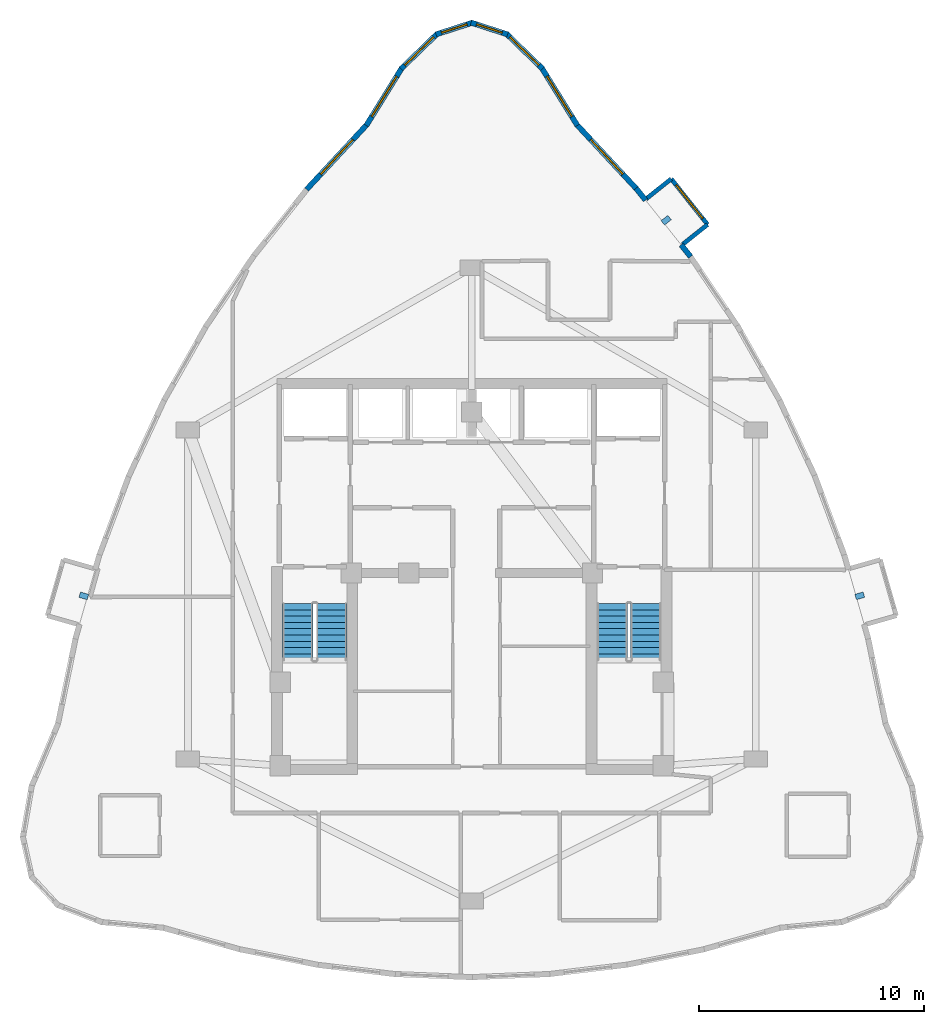
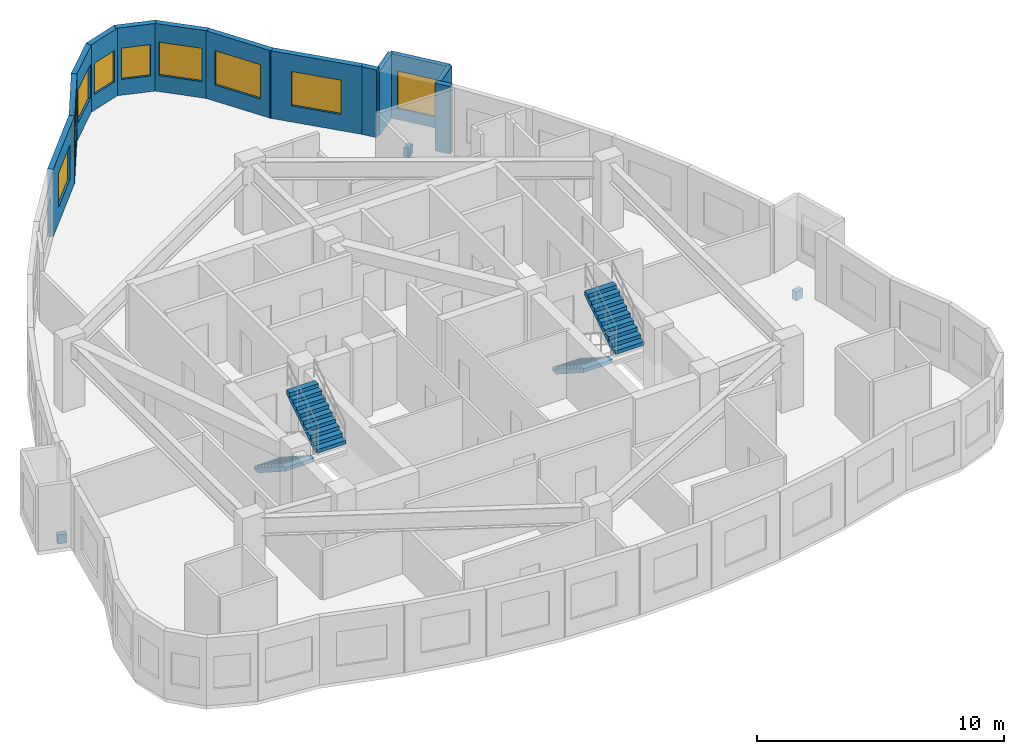
# One storey, part 7 of 8: 13 walls, 9 windows, 4 stair flights, 3 discrete accessories, 9 openings, 2 elements without a shape of their own.
"""IFC4 building model written with IfcOpenShell, lengths in metres."""

from ifc_helpers import new_model, si_unit, direction, frame, frame_2d, origin, origin_2d, place, context, subcontext, project, spatial, polyline, rectangle, outline, extrude, material, layer, layer_set, type_object, element, fill, aggregate, save


model = new_model("IFC4")

# Units and contexts
model_context = context("Model", 3, precision=1e-05, world=origin(), true_north=direction((0.0, 1.0)))
body_context = subcontext(model_context, "Body", "Model", "MODEL_VIEW")
ifc_project = project(units=[si_unit("LENGTHUNIT", "METRE"), si_unit("AREAUNIT", "SQUARE_METRE"), si_unit("VOLUMEUNIT", "CUBIC_METRE"), si_unit("PLANEANGLEUNIT", "RADIAN"), si_unit("MASSUNIT", "GRAM", prefix="KILO")], contexts=[model_context])

# Site, building, storey
site_placement = place(None, origin())
site = spatial("IfcSite", under=ifc_project, at=site_placement, CompositionType="ELEMENT")
building_placement = place(site_placement, origin())
building = spatial("IfcBuilding", under=site, at=building_placement, Name="Miruveldt Soraemaru", CompositionType="ELEMENT")
storey_placement = place(building_placement, frame((0.0, 0.0, 237.60009765625)))
storey = spatial("IfcBuildingStorey", under=building, at=storey_placement, Name="L65", CompositionType="ELEMENT", Elevation=237.60009765625)

# Walls
ifc_material_1 = material(Name="White powder-coated aluminium EN AW-6060 T6", Category="aluminium")
ifc_layer_1 = layer(ifc_material_1, 0.18994140625, Name="White powder-coated aluminium EN AW-6060 T6", Category="aluminium")
ifc_layer_set_1 = layer_set([ifc_layer_1], Name="White powder-coated aluminium EN AW-6060 T6")
wall_type_1 = type_object("IfcWallType", Name="WALL-BAY-ALU190", PredefinedType="SOLIDWALL", material=ifc_layer_set_1)
for number, where, z_axis, x_axis, name in (
    (1, (53.35009765625, 58.62646484375, 0.0), (0.0, 0.0, 1.0), (0.781737193764, 0.623608017817, 0.0), "L65 Bay Window Side Cheek 3L"),
    (2, (52.84765625, 61.541259765625, 0.0), (0.0, 0.0, 1.0), (-0.781737193764, -0.623608017817, 0.0), "L65 Bay Window Side Cheek 3R"),
):
    element("IfcWall", number, at=place(storey_placement, frame(where, z_axis=z_axis, x_axis=x_axis)), inside=storey, type_object=wall_type_1, Name=name, PredefinedType="SOLIDWALL", context=body_context, shape_type="SweptSolid", body=[
        extrude(rectangle(XDim=1.425048828125, YDim=0.18994140625, at=frame_2d((0.71240234375, 0.0))), origin(), (0.0, 0.0, 1.0), 3.19482421875),
    ])

# Wall, opening, window
wall_1_placement = place(storey_placement, frame((54.464111328125, 59.51513671875, 0.0), z_axis=(0.0, 0.0, 1.0), x_axis=(-0.623649179754, 0.781704356257, 0.0)))
wall_1 = element("IfcWall", 3, at=wall_1_placement, inside=storey, type_object=wall_type_1, Name="L65 Bay Window Front Frame 3", PredefinedType="SOLIDWALL", context=body_context, shape_type="SweptSolid", body=[
    extrude(rectangle(XDim=2.592041015625, YDim=0.18994140625, at=frame_2d((1.2958984375, 0.0))), origin(), (0.0, 0.0, 1.0), 3.19482421875),
])
opening_1_placement = place(wall_1_placement, frame((0.345947265625, 0.0, 0.550048828125)))
opening_1 = element("IfcOpeningElement", 4, at=opening_1_placement, cuts=wall_1, Name="Opening WN-6", PredefinedType="OPENING", context=body_context, shape_type="SweptSolid", body=[
    extrude(rectangle(XDim=1.89990234375, YDim=1.85009765625, at=frame_2d((0.949951171875, 0.925048828125))), frame((0.0, 0.10498046875, 0.0), z_axis=(0.0, -1.0, 0.0), x_axis=(1.0, 0.0, 0.0)), (0.0, 0.0, 1.0), 0.2099609375),
])
ifc_material_2 = material(Name="Triple low-e insulated glazing", Category="glass")
window_type_1 = type_object("IfcWindowType", Name="WIN-BAYW-1900x1850", PartitioningType="SINGLE_PANEL", PredefinedType="WINDOW", material=ifc_material_2)
window_1_placement = place(opening_1_placement, origin())
window_1 = element("IfcWindow", 5, at=window_1_placement, inside=storey, type_object=window_type_1, Name="L65 Projecting Bay Window 3", OverallHeight=1.85009765625, OverallWidth=1.89990234375, PartitioningType="SINGLE_PANEL", PredefinedType="WINDOW", context=body_context, shape_type="SweptSolid", body=[
    extrude(rectangle(XDim=1.89990234375, YDim=1.85009765625, at=frame_2d((0.949951171875, 0.925048828125))), frame((0.0, 0.030029296875, 0.0), z_axis=(0.0, -1.0, 0.0), x_axis=(1.0, 0.0, 0.0)), (0.0, 0.0, 1.0), 0.06005859375),
])
fill(opening_1, window_1)

ifc_material_3 = material(Name="Precast concrete C45/55 (45 MPa)", Category="concrete")
ifc_layer_2 = layer(ifc_material_3, 0.239990234375, Name="Precast concrete C45/55 (45 MPa)", Category="concrete")
ifc_layer_set_2 = layer_set([ifc_layer_2], Name="Precast concrete C45/55 (45 MPa)")
wall_type_2 = type_object("IfcWallType", Name="WALL-EXT-PC240", PredefinedType="SOLIDWALL", material=ifc_layer_set_2)
wall_2_placement = place(storey_placement, frame((48.685546875, 63.908447265625, 0.0), z_axis=(0.0, 0.0, 1.0), x_axis=(-0.526071389537, 0.850440411264, 0.0)))
wall_2 = element("IfcWall", 6, at=wall_2_placement, inside=storey, type_object=wall_type_2, Name="L65 Precast Concrete Facade Wall 1", PredefinedType="SOLIDWALL", context=body_context, shape_type="SweptSolid", body=[
    extrude(rectangle(XDim=3.027099609375, YDim=0.239990234375, at=frame_2d((1.513671875, 0.0))), origin(), (0.0, 0.0, 1.0), 3.344970703125),
])
opening_2_placement = place(wall_2_placement, frame((0.464111328125, 0.0, 0.800048828125)))
opening_2 = element("IfcOpeningElement", 7, at=opening_2_placement, cuts=wall_2, Name="Opening WN-1", PredefinedType="OPENING", context=body_context, shape_type="SweptSolid", body=[
    extrude(rectangle(XDim=2.10009765625, YDim=1.699951171875, at=frame_2d((1.050048828125, 0.85009765625))), frame((0.0, 0.1298828125, 0.0), z_axis=(0.0, -1.0, 0.0), x_axis=(1.0, 0.0, 0.0)), (0.0, 0.0, 1.0), 0.260009765625),
])
window_type_2 = type_object("IfcWindowType", Name="WIN-PUNCH-2100x1700", PartitioningType="SINGLE_PANEL", PredefinedType="WINDOW", material=ifc_material_2)
window_2_placement = place(opening_2_placement, origin())
window_2 = element("IfcWindow", 8, at=window_2_placement, inside=storey, type_object=window_type_2, Name="L65 Punched Triple-Glazed Window 01.1", OverallHeight=1.699951171875, OverallWidth=2.10009765625, PartitioningType="SINGLE_PANEL", PredefinedType="WINDOW", context=body_context, shape_type="SweptSolid", body=[
    extrude(rectangle(XDim=2.10009765625, YDim=1.699951171875, at=frame_2d((1.050048828125, 0.85009765625))), frame((0.0, 0.030029296875, 0.0), z_axis=(0.0, -1.0, 0.0), x_axis=(1.0, 0.0, 0.0)), (0.0, 0.0, 1.0), 0.06005859375),
])
fill(opening_2, window_2)

wall_3_placement = place(storey_placement, frame((47.136474609375, 66.4287109375, 0.0), z_axis=(0.0, 0.0, 1.0), x_axis=(-0.717773138272, 0.696277043982, 0.0)))
wall_3 = element("IfcWall", 9, at=wall_3_placement, inside=storey, type_object=wall_type_2, Name="L65 Precast Concrete Facade Wall 2", PredefinedType="SOLIDWALL", context=body_context, shape_type="SweptSolid", body=[
    extrude(rectangle(XDim=2.2373046875, YDim=0.239990234375, at=frame_2d((1.11865234375, 0.0))), origin(), (0.0, 0.0, 1.0), 3.344970703125),
])
opening_3_placement = place(wall_3_placement, frame((0.218994140625, 0.0, 0.800048828125)))
opening_3 = element("IfcOpeningElement", 10, at=opening_3_placement, cuts=wall_3, Name="Opening WN-2", PredefinedType="OPENING", context=body_context, shape_type="SweptSolid", body=[
    extrude(rectangle(XDim=1.800048828125, YDim=1.64990234375, at=frame_2d((0.89990234375, 0.824951171875))), frame((0.0, 0.1298828125, 0.0), z_axis=(0.0, -1.0, 0.0), x_axis=(1.0, 0.0, 0.0)), (0.0, 0.0, 1.0), 0.260009765625),
])
window_type_3 = type_object("IfcWindowType", Name="WIN-PUNCH-1800x1650", PartitioningType="SINGLE_PANEL", PredefinedType="WINDOW", material=ifc_material_2)
window_3_placement = place(opening_3_placement, origin())
window_3 = element("IfcWindow", 11, at=window_3_placement, inside=storey, type_object=window_type_3, Name="L65 Punched Triple-Glazed Window 02.1", OverallHeight=1.64990234375, OverallWidth=1.800048828125, PartitioningType="SINGLE_PANEL", PredefinedType="WINDOW", context=body_context, shape_type="SweptSolid", body=[
    extrude(rectangle(XDim=1.800048828125, YDim=1.64990234375, at=frame_2d((0.89990234375, 0.824951171875))), frame((0.0, 0.030029296875, 0.0), z_axis=(0.0, -1.0, 0.0), x_axis=(1.0, 0.0, 0.0)), (0.0, 0.0, 1.0), 0.06005859375),
])
fill(opening_3, window_3)

wall_4_placement = place(storey_placement, frame((45.589111328125, 67.951416015625, 0.0), z_axis=(0.0, 0.0, 1.0), x_axis=(-0.951522196334, 0.307580086942, 0.0)))
wall_4 = element("IfcWall", 12, at=wall_4_placement, inside=storey, type_object=wall_type_2, Name="L65 Precast Concrete Facade Wall 3", PredefinedType="SOLIDWALL", context=body_context, shape_type="SweptSolid", body=[
    extrude(rectangle(XDim=1.705078125, YDim=0.239990234375, at=frame_2d((0.8525390625, 0.0))), origin(), (0.0, 0.0, 1.0), 3.344970703125),
])
opening_4_placement = place(wall_4_placement, frame((0.251953125, 0.0, 0.780029296875)))
opening_4 = element("IfcOpeningElement", 13, at=opening_4_placement, cuts=wall_4, Name="Opening WN-4", PredefinedType="OPENING", context=body_context, shape_type="SweptSolid", body=[
    extrude(rectangle(XDim=1.199951171875, YDim=1.550048828125, at=frame_2d((0.60009765625, 0.77490234375))), frame((0.0, 0.1298828125, 0.0), z_axis=(0.0, -1.0, 0.0), x_axis=(1.0, 0.0, 0.0)), (0.0, 0.0, 1.0), 0.260009765625),
])
window_type_4 = type_object("IfcWindowType", Name="WIN-PUNCH-1200x1550", PartitioningType="SINGLE_PANEL", PredefinedType="WINDOW", material=ifc_material_2)
window_4_placement = place(opening_4_placement, origin())
window_4 = element("IfcWindow", 14, at=window_4_placement, inside=storey, type_object=window_type_4, Name="L65 Punched Triple-Glazed Window 03.1", OverallHeight=1.550048828125, OverallWidth=1.199951171875, PartitioningType="SINGLE_PANEL", PredefinedType="WINDOW", context=body_context, shape_type="SweptSolid", body=[
    extrude(rectangle(XDim=1.199951171875, YDim=1.550048828125, at=frame_2d((0.60009765625, 0.77490234375))), frame((0.0, 0.030029296875, 0.0), z_axis=(0.0, -1.0, 0.0), x_axis=(1.0, 0.0, 0.0)), (0.0, 0.0, 1.0), 0.06005859375),
])
fill(opening_4, window_4)

wall_5_placement = place(storey_placement, frame((44.033203125, 68.475830078125, 0.0), z_axis=(0.0, 0.0, 1.0), x_axis=(-0.951522196334, -0.307580086942, 0.0)))
wall_5 = element("IfcWall", 15, at=wall_5_placement, inside=storey, type_object=wall_type_2, Name="L65 Precast Concrete Facade Wall 4", PredefinedType="SOLIDWALL", context=body_context, shape_type="SweptSolid", body=[
    extrude(rectangle(XDim=1.705078125, YDim=0.239990234375, at=frame_2d((0.8525390625, 0.0))), origin(), (0.0, 0.0, 1.0), 3.344970703125),
])
opening_5_placement = place(wall_5_placement, frame((0.251953125, 0.0, 0.780029296875)))
opening_5 = element("IfcOpeningElement", 16, at=opening_5_placement, cuts=wall_5, Name="Opening WN-4", PredefinedType="OPENING", context=body_context, shape_type="SweptSolid", body=[
    extrude(rectangle(XDim=1.199951171875, YDim=1.550048828125, at=frame_2d((0.60009765625, 0.77490234375))), frame((0.0, 0.1298828125, 0.0), z_axis=(0.0, -1.0, 0.0), x_axis=(1.0, 0.0, 0.0)), (0.0, 0.0, 1.0), 0.260009765625),
])
window_5_placement = place(opening_5_placement, origin())
window_5 = element("IfcWindow", 17, at=window_5_placement, inside=storey, type_object=window_type_4, Name="L65 Punched Triple-Glazed Window 04.1", OverallHeight=1.550048828125, OverallWidth=1.199951171875, PartitioningType="SINGLE_PANEL", PredefinedType="WINDOW", context=body_context, shape_type="SweptSolid", body=[
    extrude(rectangle(XDim=1.199951171875, YDim=1.550048828125, at=frame_2d((0.60009765625, 0.77490234375))), frame((0.0, 0.030029296875, 0.0), z_axis=(0.0, -1.0, 0.0), x_axis=(1.0, 0.0, 0.0)), (0.0, 0.0, 1.0), 0.06005859375),
])
fill(opening_5, window_5)

wall_6_placement = place(storey_placement, frame((42.469482421875, 67.986572265625, 0.0), z_axis=(0.0, 0.0, 1.0), x_axis=(-0.717773138272, -0.696277043982, 0.0)))
wall_6 = element("IfcWall", 18, at=wall_6_placement, inside=storey, type_object=wall_type_2, Name="L65 Precast Concrete Facade Wall 5", PredefinedType="SOLIDWALL", context=body_context, shape_type="SweptSolid", body=[
    extrude(rectangle(XDim=2.2373046875, YDim=0.239990234375, at=frame_2d((1.11865234375, 0.0))), origin(), (0.0, 0.0, 1.0), 3.344970703125),
])
opening_6_placement = place(wall_6_placement, frame((0.218994140625, 0.0, 0.800048828125)))
opening_6 = element("IfcOpeningElement", 19, at=opening_6_placement, cuts=wall_6, Name="Opening WN-2", PredefinedType="OPENING", context=body_context, shape_type="SweptSolid", body=[
    extrude(rectangle(XDim=1.800048828125, YDim=1.64990234375, at=frame_2d((0.89990234375, 0.824951171875))), frame((0.0, 0.1298828125, 0.0), z_axis=(0.0, -1.0, 0.0), x_axis=(1.0, 0.0, 0.0)), (0.0, 0.0, 1.0), 0.260009765625),
])
window_6_placement = place(opening_6_placement, origin())
window_6 = element("IfcWindow", 20, at=window_6_placement, inside=storey, type_object=window_type_3, Name="L65 Punched Triple-Glazed Window 05.1", OverallHeight=1.64990234375, OverallWidth=1.800048828125, PartitioningType="SINGLE_PANEL", PredefinedType="WINDOW", context=body_context, shape_type="SweptSolid", body=[
    extrude(rectangle(XDim=1.800048828125, YDim=1.64990234375, at=frame_2d((0.89990234375, 0.824951171875))), frame((0.0, 0.030029296875, 0.0), z_axis=(0.0, -1.0, 0.0), x_axis=(1.0, 0.0, 0.0)), (0.0, 0.0, 1.0), 0.06005859375),
])
fill(opening_6, window_6)

wall_7_placement = place(storey_placement, frame((40.906982421875, 66.48291015625, 0.0), z_axis=(0.0, 0.0, 1.0), x_axis=(-0.526071389537, -0.850440411264, 0.0)))
wall_7 = element("IfcWall", 21, at=wall_7_placement, inside=storey, type_object=wall_type_2, Name="L65 Precast Concrete Facade Wall 6", PredefinedType="SOLIDWALL", context=body_context, shape_type="SweptSolid", body=[
    extrude(rectangle(XDim=3.027099609375, YDim=0.239990234375, at=frame_2d((1.513671875, 0.0))), origin(), (0.0, 0.0, 1.0), 3.344970703125),
])
opening_7_placement = place(wall_7_placement, frame((0.464111328125, 0.0, 0.800048828125)))
opening_7 = element("IfcOpeningElement", 22, at=opening_7_placement, cuts=wall_7, Name="Opening WN-1", PredefinedType="OPENING", context=body_context, shape_type="SweptSolid", body=[
    extrude(rectangle(XDim=2.10009765625, YDim=1.699951171875, at=frame_2d((1.050048828125, 0.85009765625))), frame((0.0, 0.1298828125, 0.0), z_axis=(0.0, -1.0, 0.0), x_axis=(1.0, 0.0, 0.0)), (0.0, 0.0, 1.0), 0.260009765625),
])
window_7_placement = place(opening_7_placement, origin())
window_7 = element("IfcWindow", 23, at=window_7_placement, inside=storey, type_object=window_type_2, Name="L65 Punched Triple-Glazed Window 06.1", OverallHeight=1.699951171875, OverallWidth=2.10009765625, PartitioningType="SINGLE_PANEL", PredefinedType="WINDOW", context=body_context, shape_type="SweptSolid", body=[
    extrude(rectangle(XDim=2.10009765625, YDim=1.699951171875, at=frame_2d((1.050048828125, 0.85009765625))), frame((0.0, 0.030029296875, 0.0), z_axis=(0.0, -1.0, 0.0), x_axis=(1.0, 0.0, 0.0)), (0.0, 0.0, 1.0), 0.06005859375),
])
fill(opening_7, window_7)

wall_8_placement = place(storey_placement, frame((39.356689453125, 63.9638671875, 0.0), z_axis=(0.0, 0.0, 1.0), x_axis=(-0.680875150233, -0.732399501498, 0.0)))
wall_8 = element("IfcWall", 24, at=wall_8_placement, inside=storey, type_object=wall_type_2, Name="L65 Precast Concrete Facade Wall 7", PredefinedType="SOLIDWALL", context=body_context, shape_type="SweptSolid", body=[
    extrude(rectangle(XDim=3.951904296875, YDim=0.239990234375, at=frame_2d((1.97607421875, 0.0))), origin(), (0.0, 0.0, 1.0), 3.344970703125),
])
opening_8_placement = place(wall_8_placement, frame((0.926025390625, 0.0, 0.800048828125)))
opening_8 = element("IfcOpeningElement", 25, at=opening_8_placement, cuts=wall_8, Name="Opening WN-1", PredefinedType="OPENING", context=body_context, shape_type="SweptSolid", body=[
    extrude(rectangle(XDim=2.10009765625, YDim=1.699951171875, at=frame_2d((1.050048828125, 0.85009765625))), frame((0.0, 0.1298828125, 0.0), z_axis=(0.0, -1.0, 0.0), x_axis=(1.0, 0.0, 0.0)), (0.0, 0.0, 1.0), 0.260009765625),
])
window_8_placement = place(opening_8_placement, origin())
window_8 = element("IfcWindow", 26, at=window_8_placement, inside=storey, type_object=window_type_2, Name="L65 Punched Triple-Glazed Window 07.1", OverallHeight=1.699951171875, OverallWidth=2.10009765625, PartitioningType="SINGLE_PANEL", PredefinedType="WINDOW", context=body_context, shape_type="SweptSolid", body=[
    extrude(rectangle(XDim=2.10009765625, YDim=1.699951171875, at=frame_2d((1.050048828125, 0.85009765625))), frame((0.0, 0.030029296875, 0.0), z_axis=(0.0, -1.0, 0.0), x_axis=(1.0, 0.0, 0.0)), (0.0, 0.0, 1.0), 0.06005859375),
])
fill(opening_8, window_8)

# Walls
wall_9_placement = place(storey_placement, frame((53.709228515625, 58.087890625, 0.0), z_axis=(0.0, 0.0, 1.0), x_axis=(-0.623635728977, 0.781715087192, 0.0)))
element("IfcWall", 27, at=wall_9_placement, inside=storey, type_object=wall_type_2, Name="L65 Precast Pier Wall 41A", PredefinedType="SOLIDWALL", context=body_context, shape_type="SweptSolid", body=[
    extrude(rectangle(XDim=0.6748046875, YDim=0.239990234375, at=frame_2d((0.33740234375, 0.0))), origin(), (0.0, 0.0, 1.0), 3.344970703125),
])
wall_10_placement = place(storey_placement, frame((51.709228515625, 60.5947265625, 0.0), z_axis=(0.0, 0.0, 1.0), x_axis=(-0.62345941389, 0.781855715098, 0.0)))
element("IfcWall", 28, at=wall_10_placement, inside=storey, type_object=wall_type_2, Name="L65 Precast Pier Wall 41B", PredefinedType="SOLIDWALL", context=body_context, shape_type="SweptSolid", body=[
    extrude(rectangle(XDim=0.675048828125, YDim=0.239990234375, at=frame_2d((0.33740234375, 0.0))), origin(), (0.0, 0.0, 1.0), 3.344970703125),
])

# Wall, opening, window
wall_11_placement = place(storey_placement, frame((51.333984375, 61.069580078125, 0.0), z_axis=(0.0, 0.0, 1.0), x_axis=(-0.680875150233, 0.732399501498, 0.0)))
wall_11 = element("IfcWall", 29, at=wall_11_placement, inside=storey, type_object=wall_type_2, Name="L65 Precast Concrete Facade Wall 42", PredefinedType="SOLIDWALL", context=body_context, shape_type="SweptSolid", body=[
    extrude(rectangle(XDim=3.951904296875, YDim=0.239990234375, at=frame_2d((1.97607421875, 0.0))), origin(), (0.0, 0.0, 1.0), 3.344970703125),
])
opening_9_placement = place(wall_11_placement, frame((0.926025390625, 0.0, 0.800048828125)))
opening_9 = element("IfcOpeningElement", 30, at=opening_9_placement, cuts=wall_11, Name="Opening WN-1", PredefinedType="OPENING", context=body_context, shape_type="SweptSolid", body=[
    extrude(rectangle(XDim=2.10009765625, YDim=1.699951171875, at=frame_2d((1.050048828125, 0.85009765625))), frame((0.0, 0.1298828125, 0.0), z_axis=(0.0, -1.0, 0.0), x_axis=(1.0, 0.0, 0.0)), (0.0, 0.0, 1.0), 0.260009765625),
])
window_9_placement = place(opening_9_placement, origin())
window_9 = element("IfcWindow", 31, at=window_9_placement, inside=storey, type_object=window_type_2, Name="L65 Punched Triple-Glazed Window 42.1", OverallHeight=1.699951171875, OverallWidth=2.10009765625, PartitioningType="SINGLE_PANEL", PredefinedType="WINDOW", context=body_context, shape_type="SweptSolid", body=[
    extrude(rectangle(XDim=2.10009765625, YDim=1.699951171875, at=frame_2d((1.050048828125, 0.85009765625))), frame((0.0, 0.030029296875, 0.0), z_axis=(0.0, -1.0, 0.0), x_axis=(1.0, 0.0, 0.0)), (0.0, 0.0, 1.0), 0.06005859375),
])
fill(opening_9, window_9)

# Stair, stair flights
ifc_material_4 = material(Name="Concrete C40/50 (40 MPa)", Category="concrete")
stair_type = type_object("IfcStairType", Name="STAIR-DL-360", PredefinedType="HALF_TURN_STAIR", material=ifc_material_4)
stair_1_placement = place(storey_placement, origin())
stair_1 = element("IfcStair", 32, at=stair_1_placement, inside=storey, type_object=stair_type, Name="L65 Protected Exit Stair ST-1", PredefinedType="HALF_TURN_STAIR")
stair_flight_type = type_object("IfcStairFlightType", Name="SFL-DL-360", PredefinedType="STRAIGHT", material=ifc_material_4)
stair_flight_1_placement = place(storey_placement, frame((36.27490234375, 42.699951171875, 0.0), z_axis=(0.0, 0.0, 1.0), x_axis=(0.0, -1.0, 0.0)))
stair_flight_1 = element("IfcStairFlight", 33, at=stair_flight_1_placement, type_object=stair_flight_type, Name="ST-1 flight 1", NumberOfRisers=10, NumberOfTreads=9, PredefinedType="STRAIGHT", RiserHeight=0.18, TreadLength=0.28, context=body_context, shape_type="SweptSolid", body=[
    extrude(outline(polyline([(0.0, 0.0), (0.0, 0.179931640625), (0.280029296875, 0.179931640625), (0.280029296875, 0.360107421875), (0.56005859375, 0.360107421875), (0.56005859375, 0.5400390625), (0.840087890625, 0.5400390625), (0.840087890625, 0.719970703125), (1.1201171875, 0.719970703125), (1.1201171875, 0.89990234375), (1.39990234375, 0.89990234375), (1.39990234375, 1.080078125), (1.679931640625, 1.080078125), (1.679931640625, 1.260009765625), (1.9599609375, 1.260009765625), (1.9599609375, 1.43994140625), (2.239990234375, 1.43994140625), (2.239990234375, 1.6201171875), (2.52001953125, 1.6201171875), (2.52001953125, 1.800048828125), (2.52001953125, 1.429931640625), (0.295654296875, 0.0), (0.0, 0.0)])), frame((0.0, 0.675048828125, 0.0), z_axis=(0.0, -1.0, 0.0), x_axis=(1.0, 0.0, 0.0)), (0.0, 0.0, 1.0), 1.35009765625),
])
stair_flight_2_placement = place(storey_placement, frame((37.77490234375, 40.179931640625, 1.7998046875), z_axis=(0.0, 0.0, 1.0), x_axis=(0.0, 1.0, 0.0)))
stair_flight_2 = element("IfcStairFlight", 34, at=stair_flight_2_placement, type_object=stair_flight_type, Name="ST-1 flight 2", NumberOfRisers=10, NumberOfTreads=9, PredefinedType="STRAIGHT", RiserHeight=0.18, TreadLength=0.28, context=body_context, shape_type="SweptSolid", body=[
    extrude(outline(polyline([(0.0, 0.0), (0.0, 0.179931640625), (0.280029296875, 0.179931640625), (0.280029296875, 0.360107421875), (0.56005859375, 0.360107421875), (0.56005859375, 0.5400390625), (0.840087890625, 0.5400390625), (0.840087890625, 0.719970703125), (1.1201171875, 0.719970703125), (1.1201171875, 0.89990234375), (1.39990234375, 0.89990234375), (1.39990234375, 1.080078125), (1.679931640625, 1.080078125), (1.679931640625, 1.260009765625), (1.9599609375, 1.260009765625), (1.9599609375, 1.43994140625), (2.239990234375, 1.43994140625), (2.239990234375, 1.6201171875), (2.52001953125, 1.6201171875), (2.52001953125, 1.800048828125), (2.52001953125, 1.429931640625), (0.295654296875, 0.0), (0.0, 0.0)])), frame((0.0, 0.675048828125, 0.0), z_axis=(0.0, -1.0, 0.0), x_axis=(1.0, 0.0, 0.0)), (0.0, 0.0, 1.0), 1.35009765625),
])
aggregate(stair_1, [stair_flight_1, stair_flight_2])

stair_2_placement = place(storey_placement, origin())
stair_2 = element("IfcStair", 35, at=stair_2_placement, inside=storey, type_object=stair_type, Name="L65 Protected Exit Stair ST-2", PredefinedType="HALF_TURN_STAIR")
stair_flight_3_placement = place(storey_placement, frame((50.22509765625, 42.699951171875, 0.0), z_axis=(0.0, 0.0, 1.0), x_axis=(0.0, -1.0, 0.0)))
stair_flight_3 = element("IfcStairFlight", 36, at=stair_flight_3_placement, type_object=stair_flight_type, Name="ST-2 flight 1", NumberOfRisers=10, NumberOfTreads=9, PredefinedType="STRAIGHT", RiserHeight=0.18, TreadLength=0.28, context=body_context, shape_type="SweptSolid", body=[
    extrude(outline(polyline([(0.0, 0.0), (0.0, 0.179931640625), (0.280029296875, 0.179931640625), (0.280029296875, 0.360107421875), (0.56005859375, 0.360107421875), (0.56005859375, 0.5400390625), (0.840087890625, 0.5400390625), (0.840087890625, 0.719970703125), (1.1201171875, 0.719970703125), (1.1201171875, 0.89990234375), (1.39990234375, 0.89990234375), (1.39990234375, 1.080078125), (1.679931640625, 1.080078125), (1.679931640625, 1.260009765625), (1.9599609375, 1.260009765625), (1.9599609375, 1.43994140625), (2.239990234375, 1.43994140625), (2.239990234375, 1.6201171875), (2.52001953125, 1.6201171875), (2.52001953125, 1.800048828125), (2.52001953125, 1.429931640625), (0.295654296875, 0.0), (0.0, 0.0)])), frame((0.0, 0.675048828125, 0.0), z_axis=(0.0, -1.0, 0.0), x_axis=(1.0, 0.0, 0.0)), (0.0, 0.0, 1.0), 1.35009765625),
])
stair_flight_4_placement = place(storey_placement, frame((51.72509765625, 40.179931640625, 1.7998046875), z_axis=(0.0, 0.0, 1.0), x_axis=(0.0, 1.0, 0.0)))
stair_flight_4 = element("IfcStairFlight", 37, at=stair_flight_4_placement, type_object=stair_flight_type, Name="ST-2 flight 2", NumberOfRisers=10, NumberOfTreads=9, PredefinedType="STRAIGHT", RiserHeight=0.18, TreadLength=0.28, context=body_context, shape_type="SweptSolid", body=[
    extrude(outline(polyline([(0.0, 0.0), (0.0, 0.179931640625), (0.280029296875, 0.179931640625), (0.280029296875, 0.360107421875), (0.56005859375, 0.360107421875), (0.56005859375, 0.5400390625), (0.840087890625, 0.5400390625), (0.840087890625, 0.719970703125), (1.1201171875, 0.719970703125), (1.1201171875, 0.89990234375), (1.39990234375, 0.89990234375), (1.39990234375, 1.080078125), (1.679931640625, 1.080078125), (1.679931640625, 1.260009765625), (1.9599609375, 1.260009765625), (1.9599609375, 1.43994140625), (2.239990234375, 1.43994140625), (2.239990234375, 1.6201171875), (2.52001953125, 1.6201171875), (2.52001953125, 1.800048828125), (2.52001953125, 1.429931640625), (0.295654296875, 0.0), (0.0, 0.0)])), frame((0.0, 0.675048828125, 0.0), z_axis=(0.0, -1.0, 0.0), x_axis=(1.0, 0.0, 0.0)), (0.0, 0.0, 1.0), 1.35009765625),
])
aggregate(stair_2, [stair_flight_3, stair_flight_4])

# Discrete accessories
ifc_material_5 = material(Name="Steel SM355 (355 MPa)", Category="steel")
discrete_accessory_type = type_object("IfcDiscreteAccessoryType", Name="ACC-BAY-BRK", PredefinedType="BRACKET", material=ifc_material_5)
for number, where, z_axis, x_axis, name in (
    (38, (26.78369140625, 43.036376953125, -0.7001953125), (0.0, 0.0, 1.0), (-0.961453892845, 0.274966201438, 0.0), "L65 Bay Window Cantilever Bracket 1"),
    (39, (61.21630859375, 43.036376953125, -0.7001953125), (0.0, 0.0, 1.0), (0.961453892845, 0.274966201438, 0.0), "L65 Bay Window Cantilever Bracket 2"),
    (40, (52.623779296875, 59.705078125, -0.7001953125), (0.0, 0.0, 1.0), (0.781727315753, 0.623620400408, 0.0), "L65 Bay Window Cantilever Bracket 3"),
):
    element("IfcDiscreteAccessory", number, at=place(storey_placement, frame(where, z_axis=z_axis, x_axis=x_axis)), inside=storey, type_object=discrete_accessory_type, Name=name, PredefinedType="BRACKET", context=body_context, shape_type="SweptSolid", body=[
        extrude(rectangle(XDim=0.3798828125, YDim=0.25, at=origin_2d()), origin(), (0.0, 0.0, 1.0), 0.449951171875),
    ])

save(model, "model.ifc")
